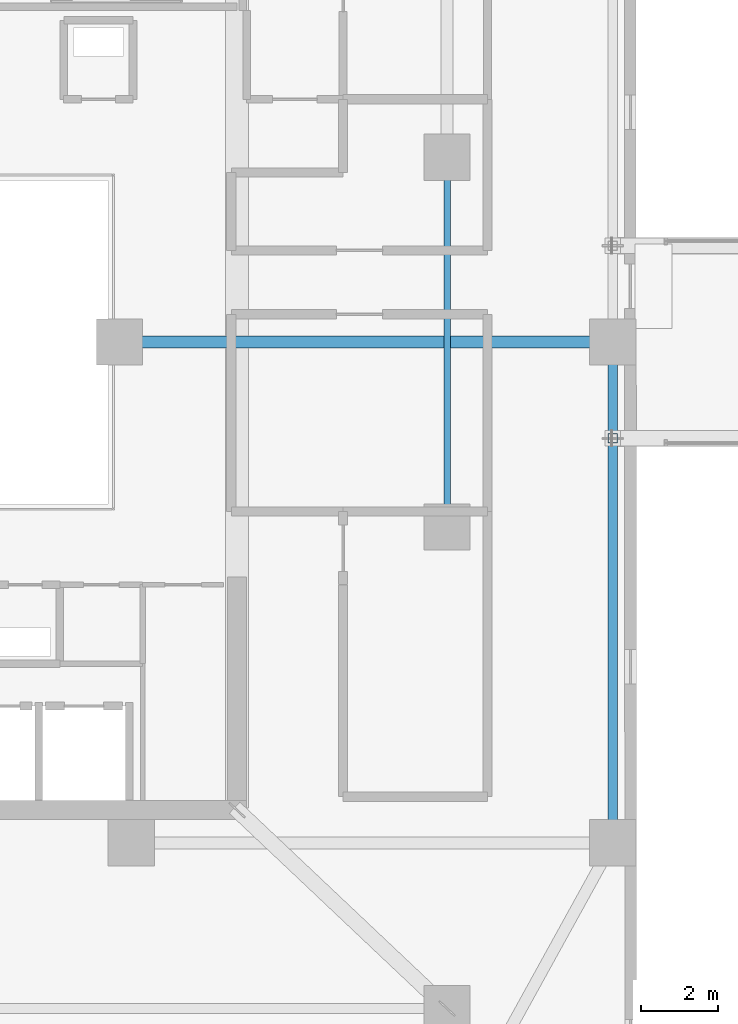
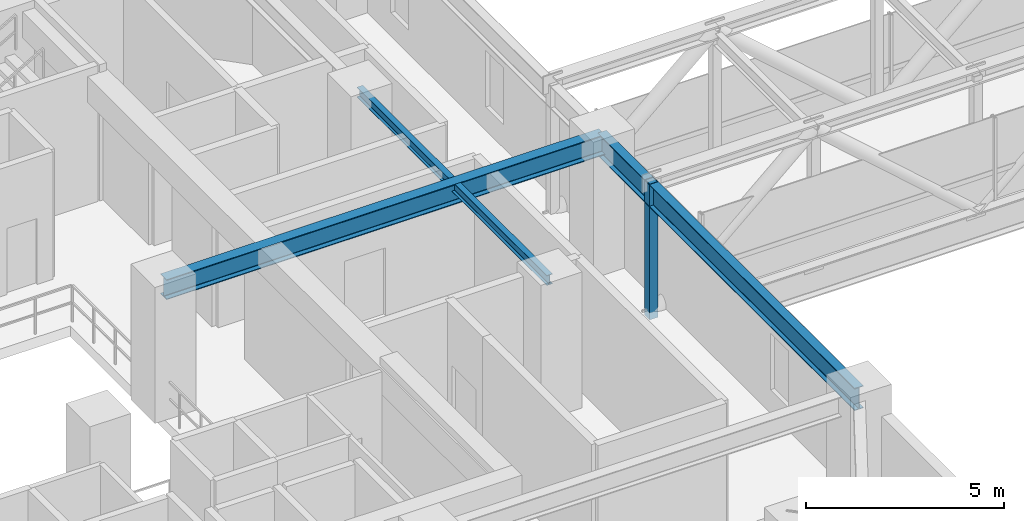
# One storey, part 6 of 45: 3 beams, 1 member.
"""IFC4 building model written with IfcOpenShell, lengths in metres."""

from ifc_helpers import new_model, si_unit, direction, frame, origin, origin_2d, place, context, subcontext, project, spatial, hollow_rectangle, i_section, extrude, material, material_profile, profile_set, type_object, element, save


model = new_model("IFC4")

# Units and contexts
model_context = context("Model", 3, precision=1e-05, world=origin(), true_north=direction((0.0, 1.0)))
body_context = subcontext(model_context, "Body", "Model", "MODEL_VIEW")
ifc_project = project(units=[si_unit("LENGTHUNIT", "METRE"), si_unit("AREAUNIT", "SQUARE_METRE"), si_unit("VOLUMEUNIT", "CUBIC_METRE"), si_unit("PLANEANGLEUNIT", "RADIAN"), si_unit("MASSUNIT", "GRAM", prefix="KILO")], contexts=[model_context])

# Site, building, storey
site_placement = place(None, origin())
site = spatial("IfcSite", under=ifc_project, at=site_placement, CompositionType="ELEMENT")
building_placement = place(site_placement, origin())
building = spatial("IfcBuilding", under=site, at=building_placement, Name="Thornwick Lancets Civic Towers", CompositionType="ELEMENT")
storey_placement = place(building_placement, frame((0.0, 0.0, 141.300048828125)))
storey = spatial("IfcBuildingStorey", under=building, at=storey_placement, Name="L37", CompositionType="ELEMENT", Elevation=141.300048828125)

# Beams
ifc_material_1 = material(Name="Steel S355JR", Category="steel")
ifc_material_profile_1 = material_profile(ifc_material_1, i_section(OverallWidth=0.30712890625, OverallDepth=0.6201171875, WebThickness=0.01416015625, FlangeThickness=0.023681640625, FilletRadius=0.0166015625, at=origin_2d()), Name="UKB 610x305x179")
ifc_profile_set_1 = profile_set([ifc_material_profile_1], Name="Steel S355JR")
beam_type_1 = type_object("IfcBeamType", Name="BM_GIRD_610_179", PredefinedType="BEAM", material=ifc_profile_set_1)
beam_1_placement = place(storey_placement, frame((30.0, 27.0, 3.64990234375), z_axis=(1.0, 0.0, 0.0), x_axis=(0.0, 1.0, 0.0)))
element("IfcBeam", 1, at=beam_1_placement, inside=storey, type_object=beam_type_1, Name="BM-RADIN-L37-A05", PredefinedType="BEAM", context=body_context, shape_type="SweptSolid", body=[
    extrude(i_section(OverallWidth=0.30712890625, OverallDepth=0.6201171875, WebThickness=0.01416015625, FlangeThickness=0.023681640625, FilletRadius=0.0166015625, at=origin_2d()), origin(), (0.0, 0.0, 1.0), 12.800048828125),
])
ifc_material_profile_2 = material_profile(ifc_material_1, i_section(OverallWidth=0.255859375, OverallDepth=0.69287109375, WebThickness=0.014404296875, FlangeThickness=0.023681640625, FilletRadius=0.01513671875, at=origin_2d()), Name="UKB 686x254x170")
ifc_profile_set_2 = profile_set([ifc_material_profile_2], Name="Steel S355JR")
beam_type_2 = type_object("IfcBeamType", Name="BM_GIRD_686_170", PredefinedType="BEAM", material=ifc_profile_set_2)
beam_2_placement = place(storey_placement, frame((42.800048828125, 14.0, 3.613525390625), z_axis=(0.0, 1.0, 0.0), x_axis=(-1.0, 0.0, 0.0)))
element("IfcBeam", 2, at=beam_2_placement, inside=storey, type_object=beam_type_2, Name="BM-SPINE-L37-A-3-4", PredefinedType="BEAM", context=body_context, shape_type="SweptSolid", body=[
    extrude(i_section(OverallWidth=0.255859375, OverallDepth=0.69287109375, WebThickness=0.014404296875, FlangeThickness=0.023681640625, FilletRadius=0.01513671875, at=origin_2d()), origin(), (0.0, 0.0, 1.0), 13.0),
])
ifc_material_profile_3 = material_profile(ifc_material_1, i_section(OverallWidth=0.1669921875, OverallDepth=0.310302734375, WebThickness=0.0078125, FlangeThickness=0.013671875, FilletRadius=0.0087890625, at=origin_2d()), Name="UKB 305x165x54")
ifc_profile_set_3 = profile_set([ifc_material_profile_3], Name="Steel S355JR")
beam_type_3 = type_object("IfcBeamType", Name="BM_LINTEL_305_54", PredefinedType="LINTEL", material=ifc_profile_set_3)
beam_3_placement = place(storey_placement, frame((38.5, 22.199951171875, 3.8046875), z_axis=(0.0, 1.0, 0.0), x_axis=(-1.0, 0.0, 0.0)))
element("IfcBeam", 3, at=beam_3_placement, inside=storey, type_object=beam_type_3, Name="BM-INSP-L37-A-1-3", PredefinedType="LINTEL", context=body_context, shape_type="SweptSolid", body=[
    extrude(i_section(OverallWidth=0.1669921875, OverallDepth=0.310302734375, WebThickness=0.0078125, FlangeThickness=0.013671875, FilletRadius=0.0087890625, at=origin_2d()), origin(), (0.0, 0.0, 1.0), 9.60009765625),
])

# Member
ifc_material_2 = material(Name="Steel S460M", Category="steel")
ifc_material_profile_4 = material_profile(ifc_material_2, hollow_rectangle(XDim=0.25, YDim=0.25, WallThickness=0.01611328125, at=origin_2d()), Name="SHS 250x250x16")
ifc_profile_set_4 = profile_set([ifc_material_profile_4], Name="Steel S460M")
member_type = type_object("IfcMemberType", Name="MEM_BRG_WEB_SHS250", PredefinedType="BRACE", material=ifc_profile_set_4)
member_placement = place(storey_placement, frame((42.800048828125, 24.5, -0.219970703125), z_axis=(0.0, 0.0, 1.0), x_axis=(1.0, 0.0, 0.0)))
element("IfcMember", 4, at=member_placement, inside=storey, type_object=member_type, Name="L37 Skybridge Truss Post 1-0", PredefinedType="BRACE", context=body_context, shape_type="SweptSolid", body=[
    extrude(hollow_rectangle(XDim=0.25, YDim=0.25, WallThickness=0.01611328125, at=origin_2d()), origin(), (0.0, 0.0, 1.0), 4.179931640625),
])

save(model, "model.ifc")
